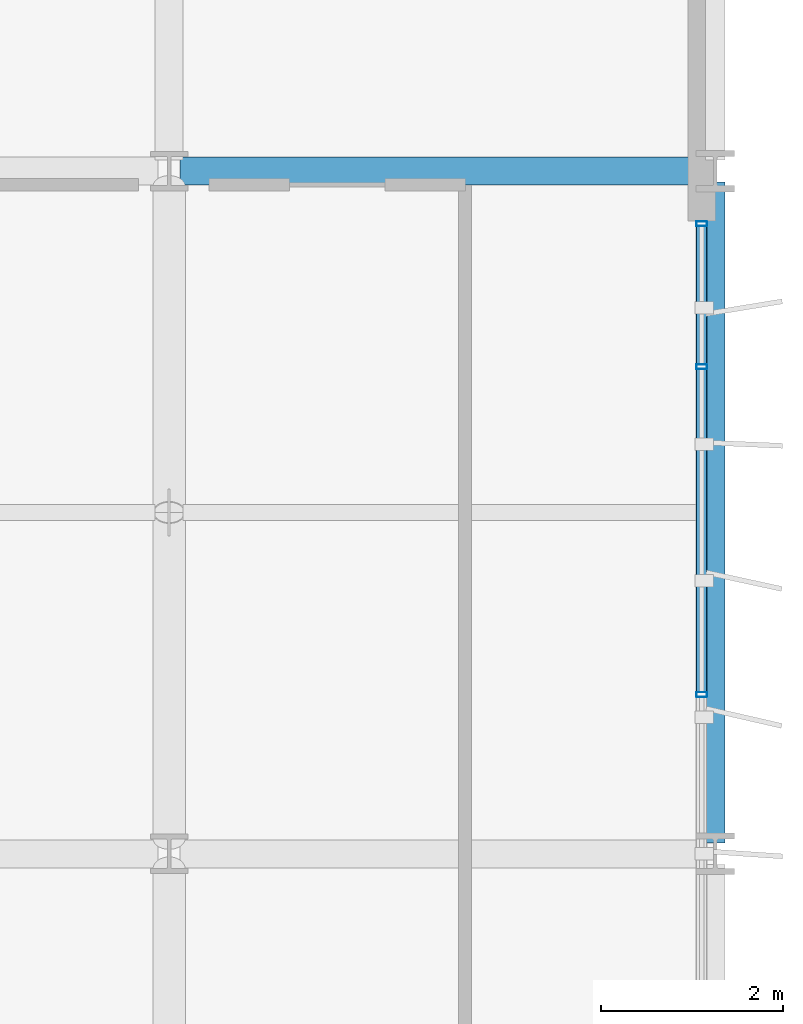
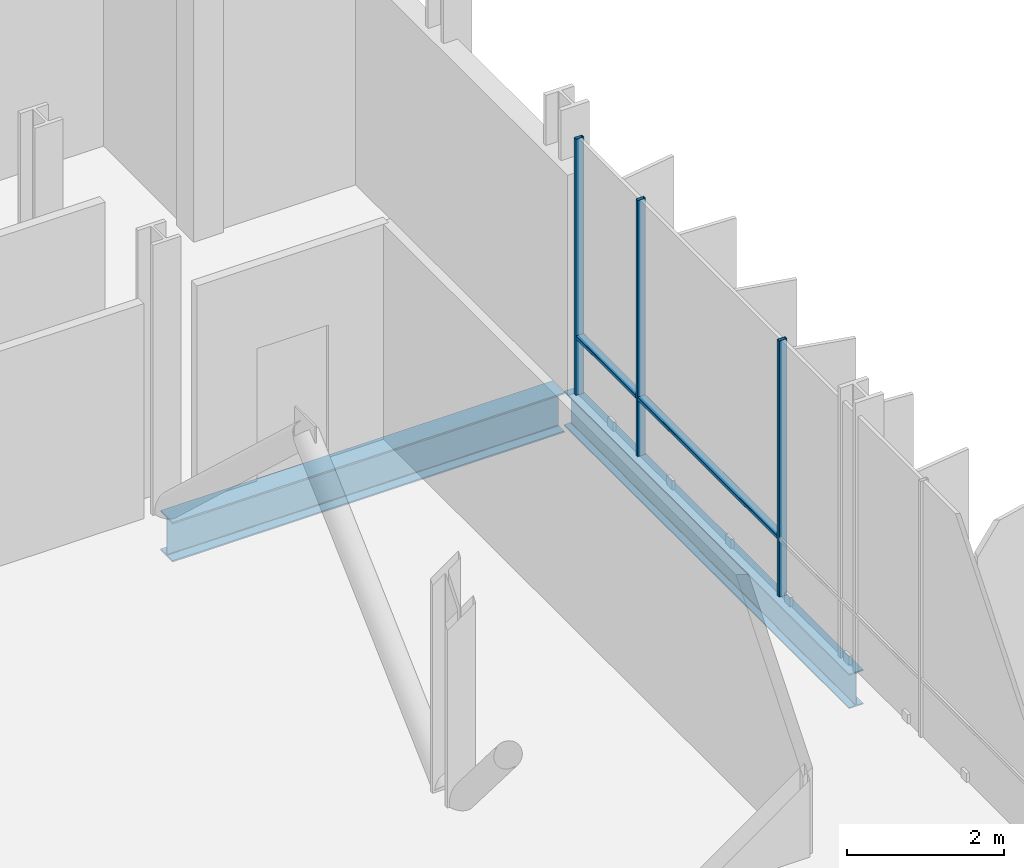
# One storey, part 21 of 32: 5 members, 2 beams, 1 element without a shape of its own.
"""IFC4 building model written with IfcOpenShell, lengths in metres."""

from ifc_helpers import new_model, si_unit, direction, frame, origin, origin_2d, place, context, subcontext, project, spatial, hollow_rectangle, i_section, extrude, material, layer, layer_set, material_profile, profile_set, type_object, element, aggregate, save


model = new_model("IFC4")

# Units and contexts
model_context = context("Model", 3, precision=1e-05, world=origin(), true_north=direction((0.0, 1.0)))
body_context = subcontext(model_context, "Body", "Model", "MODEL_VIEW")
ifc_project = project(units=[si_unit("LENGTHUNIT", "METRE"), si_unit("AREAUNIT", "SQUARE_METRE"), si_unit("VOLUMEUNIT", "CUBIC_METRE"), si_unit("PLANEANGLEUNIT", "RADIAN"), si_unit("MASSUNIT", "GRAM", prefix="KILO")], contexts=[model_context])

# Site, building, storey
site_placement = place(None, origin())
site = spatial("IfcSite", under=ifc_project, at=site_placement, CompositionType="ELEMENT")
building_placement = place(site_placement, origin())
building = spatial("IfcBuilding", under=site, at=building_placement, Name="Brevholm Reach", CompositionType="ELEMENT")
storey_placement = place(building_placement, frame((0.0, 0.0, 96.199951171875)))
storey = spatial("IfcBuildingStorey", under=building, at=storey_placement, Name="L28", CompositionType="ELEMENT", Elevation=96.199951171875)

# Beams
ifc_material_1 = material(Name="Structural Steel S355J2", Category="steel")
ifc_material_profile_1 = material_profile(ifc_material_1, i_section(OverallWidth=0.210693359375, OverallDepth=0.53955078125, WebThickness=0.01171875, FlangeThickness=0.018798828125, FilletRadius=0.0126953125, at=origin_2d()), Name="UKB 533x210x109")
ifc_profile_set_1 = profile_set([ifc_material_profile_1], Name="Structural Steel S355J2")
beam_type_1 = type_object("IfcBeamType", Name="BM-SP539", PredefinedType="SPANDREL", material=ifc_profile_set_1)
beam_1_placement = place(storey_placement, frame((60.0, 16.1201171875, -0.52978515625), z_axis=(0.0, 1.0, 0.0), x_axis=(-1.0, 0.0, 0.0)))
element("IfcBeam", 1, at=beam_1_placement, inside=storey, type_object=beam_type_1, Name="L28 SP-01B Framing Beam", PredefinedType="SPANDREL", context=body_context, shape_type="SweptSolid", body=[
    extrude(i_section(OverallWidth=0.210693359375, OverallDepth=0.53955078125, WebThickness=0.01171875, FlangeThickness=0.018798828125, FilletRadius=0.0126953125, at=origin_2d()), origin(), (0.0, 0.0, 1.0), 7.259765625),
])
ifc_material_2 = material(Name="Structural Steel S355J2", Category="steel")
ifc_material_profile_2 = material_profile(ifc_material_2, i_section(OverallWidth=0.30712890625, OverallDepth=0.6201171875, WebThickness=0.01416015625, FlangeThickness=0.023681640625, FilletRadius=0.0166015625, at=origin_2d()), Name="UKB 610x305x179")
ifc_profile_set_2 = profile_set([ifc_material_profile_2], Name="Structural Steel S355J2")
beam_type_2 = type_object("IfcBeamType", Name="BM-UKB610H", PredefinedType="USERDEFINED", material=ifc_profile_set_2)
beam_2_placement = place(storey_placement, frame((54.1201171875, 23.5, -0.570068359375), z_axis=(1.0, 0.0, 0.0), x_axis=(0.0, 1.0, 0.0)))
element("IfcBeam", 2, at=beam_2_placement, inside=storey, type_object=beam_type_2, Name="L28 G-06 Framing Beam", ObjectType="GIRDER", PredefinedType="USERDEFINED", context=body_context, shape_type="SweptSolid", body=[
    extrude(i_section(OverallWidth=0.30712890625, OverallDepth=0.6201171875, WebThickness=0.01416015625, FlangeThickness=0.023681640625, FilletRadius=0.0166015625, at=origin_2d()), origin(), (0.0, 0.0, 1.0), 5.759765625),
])

# Curtain wall, members
ifc_material_3 = material(Name="Dark Anodised Aluminium 6063-T6 and Solar-Control Glass", Category="aluminium")
ifc_layer = layer(ifc_material_3, 0.1201171875)
ifc_layer_set = layer_set([ifc_layer], Name="Dark Anodised Aluminium 6063-T6 and Solar-Control Glass")
curtain_wall_type = type_object("IfcCurtainWallType", Name="CW-06", PredefinedType="NOTDEFINED", material=ifc_layer_set)
curtain_wall_placement = place(storey_placement, origin())
curtain_wall = element("IfcCurtainWall", 3, at=curtain_wall_placement, inside=storey, type_object=curtain_wall_type, Name="L28 Curtain Wall CW-06", PredefinedType="NOTDEFINED")
ifc_material_4 = material(Name="Dark Anodised Aluminium 6063-T6", Category="aluminium")
ifc_material_profile_3 = material_profile(ifc_material_4, hollow_rectangle(XDim=0.054931640625, YDim=0.1201171875, WallThickness=0.00390625, InnerFilletRadius=0.00390625, OuterFilletRadius=0.008056640625, at=origin_2d()), Name="RHS 120x55x4")
ifc_profile_set_3 = profile_set([ifc_material_profile_3], Name="Dark Anodised Aluminium 6063-T6")
member_type_1 = type_object("IfcMemberType", Name="CWM-120", PredefinedType="MULLION", material=ifc_profile_set_3)
member_1_placement = place(storey_placement, frame((59.85009765625, 17.75, 0.0), z_axis=(0.0, 0.0, 1.0), x_axis=(0.0, 1.0, 0.0)))
member_1 = element("IfcMember", 4, at=member_1_placement, type_object=member_type_1, Name="CM-120 Mullion 3", PredefinedType="MULLION", context=body_context, shape_type="SweptSolid", body=[
    extrude(hollow_rectangle(XDim=0.054931640625, YDim=0.1201171875, WallThickness=0.00390625, InnerFilletRadius=0.00390625, OuterFilletRadius=0.008056640625, at=origin_2d()), origin(), (0.0, 0.0, 1.0), 3.97998046875),
])
member_2_placement = place(storey_placement, frame((59.85009765625, 21.35009765625, 0.0), z_axis=(0.0, 0.0, 1.0), x_axis=(0.0, 1.0, 0.0)))
member_2 = element("IfcMember", 5, at=member_2_placement, type_object=member_type_1, Name="CM-120 Mullion 4", PredefinedType="MULLION", context=body_context, shape_type="SweptSolid", body=[
    extrude(hollow_rectangle(XDim=0.054931640625, YDim=0.1201171875, WallThickness=0.00390625, InnerFilletRadius=0.00390625, OuterFilletRadius=0.008056640625, at=origin_2d()), origin(), (0.0, 0.0, 1.0), 3.97998046875),
])
member_3_placement = place(storey_placement, frame((59.85009765625, 22.922607421875, 0.0), z_axis=(0.0, 0.0, 1.0), x_axis=(0.0, 1.0, 0.0)))
member_3 = element("IfcMember", 6, at=member_3_placement, type_object=member_type_1, Name="CM-120 Mullion 5", PredefinedType="MULLION", context=body_context, shape_type="SweptSolid", body=[
    extrude(hollow_rectangle(XDim=0.054931640625, YDim=0.1201171875, WallThickness=0.00390625, InnerFilletRadius=0.00390625, OuterFilletRadius=0.008056640625, at=origin_2d()), origin(), (0.0, 0.0, 1.0), 3.97998046875),
])
ifc_material_5 = material(Name="Dark Anodised Aluminium 6063-T6", Category="aluminium")
ifc_material_profile_4 = material_profile(ifc_material_5, hollow_rectangle(XDim=0.054931640625, YDim=0.1201171875, WallThickness=0.00390625, InnerFilletRadius=0.00390625, OuterFilletRadius=0.008056640625, at=origin_2d()), Name="RHS 120x55x4")
ifc_profile_set_4 = profile_set([ifc_material_profile_4], Name="Dark Anodised Aluminium 6063-T6")
member_type_2 = type_object("IfcMemberType", Name="CWT-120", PredefinedType="NOTDEFINED", material=ifc_profile_set_4)
member_4_placement = place(storey_placement, frame((59.85009765625, 17.777587890625, 0.900146484375), z_axis=(0.0, 1.0, 0.0), x_axis=(0.0, 0.0, 1.0)))
member_4 = element("IfcMember", 7, at=member_4_placement, type_object=member_type_2, Name="CT-120 Transom 3.1", ObjectType="TRANSOM", PredefinedType="USERDEFINED", context=body_context, shape_type="SweptSolid", body=[
    extrude(hollow_rectangle(XDim=0.054931640625, YDim=0.1201171875, WallThickness=0.00390625, InnerFilletRadius=0.00390625, OuterFilletRadius=0.008056640625, at=origin_2d()), origin(), (0.0, 0.0, 1.0), 3.544921875),
])
member_5_placement = place(storey_placement, frame((59.85009765625, 21.37744140625, 0.900146484375), z_axis=(0.0, 1.0, 0.0), x_axis=(0.0, 0.0, 1.0)))
member_5 = element("IfcMember", 8, at=member_5_placement, type_object=member_type_2, Name="CT-120 Transom 4.1", ObjectType="TRANSOM", PredefinedType="USERDEFINED", context=body_context, shape_type="SweptSolid", body=[
    extrude(hollow_rectangle(XDim=0.054931640625, YDim=0.1201171875, WallThickness=0.00390625, InnerFilletRadius=0.00390625, OuterFilletRadius=0.008056640625, at=origin_2d()), origin(), (0.0, 0.0, 1.0), 1.517578125),
])
aggregate(curtain_wall, [member_1, member_2, member_3, member_4, member_5])

save(model, "model.ifc")
